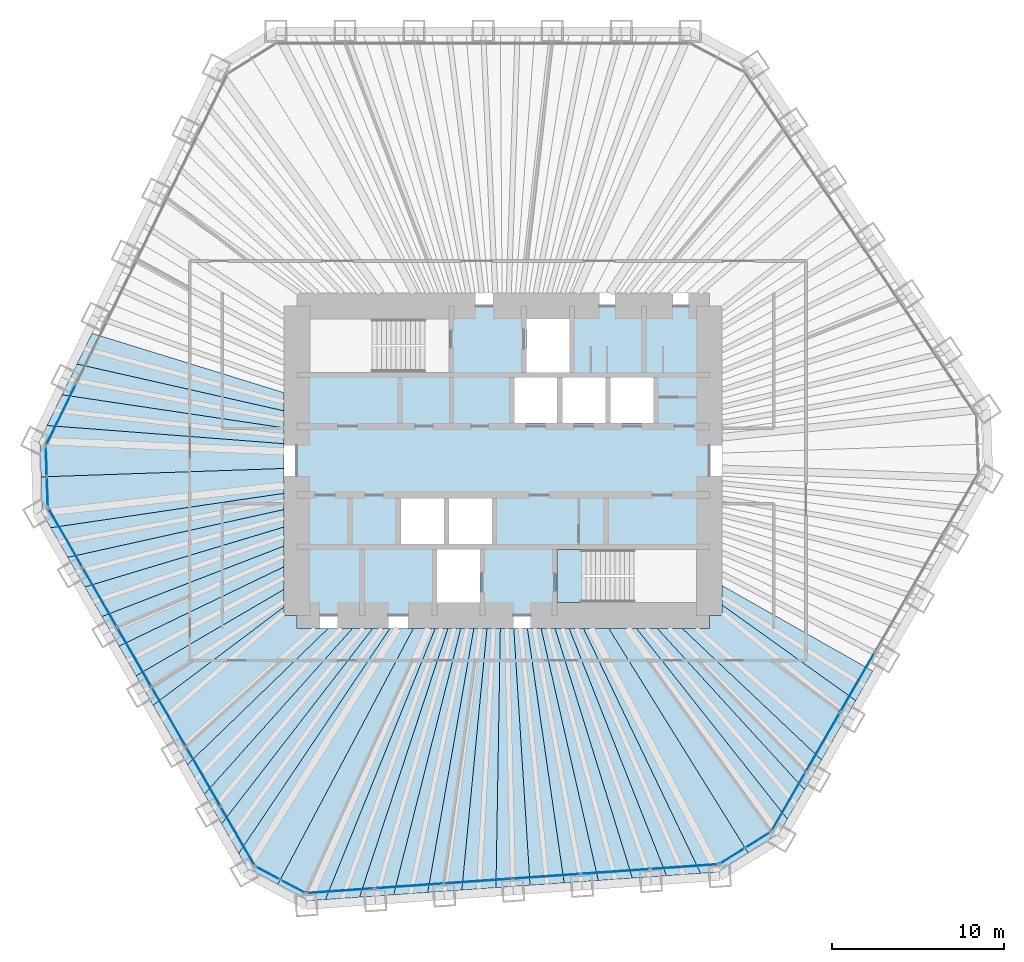
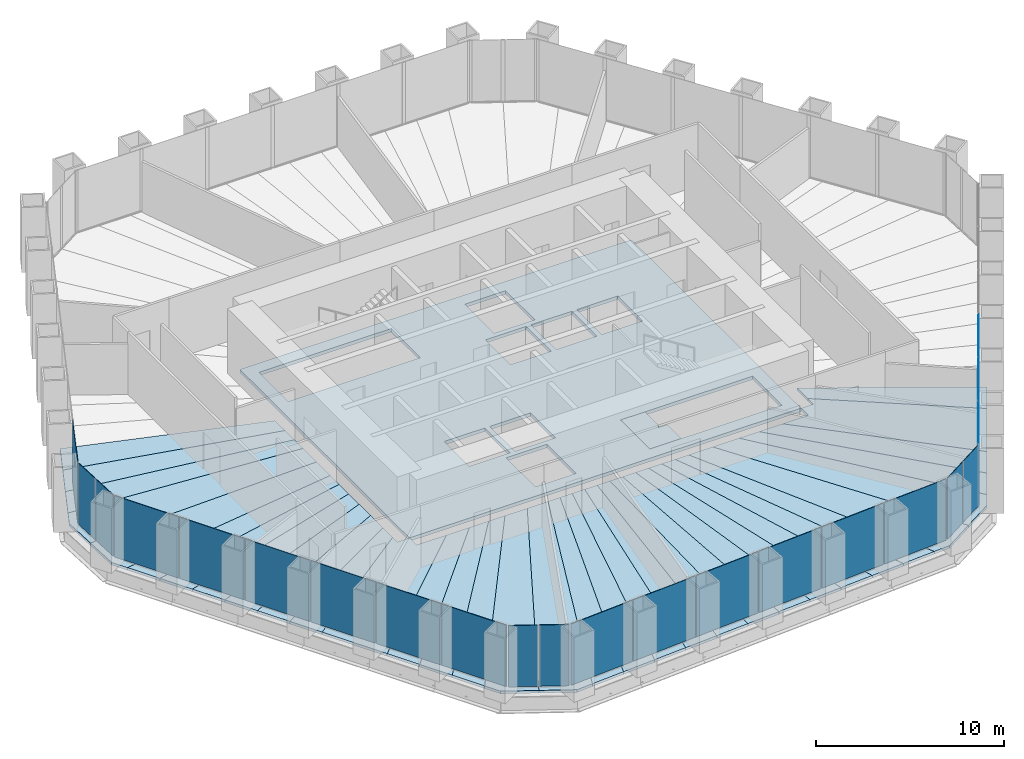
# One storey, part 8 of 13: 36 slabs, 22 plates, 8 elements without a shape of their own.
"""IFC4 building model written with IfcOpenShell, lengths in metres."""

from ifc_helpers import new_model, si_unit, direction, frame, origin, origin_2d, place, context, subcontext, project, spatial, polyline, rectangle, outline, extrude, material, layer, layer_set, type_object, element, aggregate, save


model = new_model("IFC4")

# Units and contexts
model_context = context("Model", 3, precision=1e-05, world=origin(), true_north=direction((0.0, 1.0)))
body_context = subcontext(model_context, "Body", "Model", "MODEL_VIEW")
ifc_project = project(units=[si_unit("LENGTHUNIT", "METRE"), si_unit("AREAUNIT", "SQUARE_METRE"), si_unit("VOLUMEUNIT", "CUBIC_METRE"), si_unit("PLANEANGLEUNIT", "RADIAN"), si_unit("MASSUNIT", "GRAM", prefix="KILO")], contexts=[model_context])

# Site, building, storey
site_placement = place(None, origin())
site = spatial("IfcSite", under=ifc_project, at=site_placement, CompositionType="ELEMENT")
building_placement = place(site_placement, origin())
building = spatial("IfcBuilding", under=site, at=building_placement, Name="Qingtian Harvest Tower", CompositionType="ELEMENT")
storey_placement = place(building_placement, frame((0.0, 0.0, 161.800048828125)))
storey = spatial("IfcBuildingStorey", under=building, at=storey_placement, Name="L34", CompositionType="ELEMENT", Elevation=161.800048828125)

# Slabs
ifc_material_1 = material(Name="Concrete fc' 35 MPa", Category="concrete")
ifc_layer_1 = layer(ifc_material_1, 0.169921875)
ifc_layer_set_1 = layer_set([ifc_layer_1], Name="Composite floor slab FS17 170")
slab_type_1 = type_object("IfcSlabType", Name="Composite floor slab FS17 170", PredefinedType="FLOOR", material=ifc_layer_set_1)
slab_1_placement = place(storey_placement, frame((0.0, 0.0, -0.170166015625)))
element("IfcSlab", 1, at=slab_1_placement, inside=storey, type_object=slab_type_1, Name="Floor slab L34 panel D01", PredefinedType="FLOOR", context=body_context, shape_type="SweptSolid", body=[
    extrude(outline(polyline([(-26.8935546875, -0.939208984375), (-12.75, -0.447998046875), (-12.75, -1.89599609375), (-26.333984375, -3.8984375), (-26.819580078125, -3.056884765625), (-26.8935546875, -0.939208984375)])), origin(), (0.0, 0.0, 1.0), 0.170166015625),
])
slab_2_placement = place(storey_placement, frame((0.0, 0.0, -0.170166015625)))
element("IfcSlab", 2, at=slab_2_placement, inside=storey, type_object=slab_type_1, Name="Floor slab L34 panel D02", PredefinedType="FLOOR", context=body_context, shape_type="SweptSolid", body=[
    extrude(outline(polyline([(-12.75, -2.838134765625), (-25.3388671875, -5.62158203125), (-26.333984375, -3.8984375), (-12.75, -1.89599609375), (-12.75, -2.838134765625)])), origin(), (0.0, 0.0, 1.0), 0.170166015625),
])
slab_3_placement = place(storey_placement, frame((0.0, 0.0, -0.170166015625)))
element("IfcSlab", 3, at=slab_3_placement, inside=storey, type_object=slab_type_1, Name="Floor slab L34 panel D03", PredefinedType="FLOOR", context=body_context, shape_type="SweptSolid", body=[
    extrude(outline(polyline([(-12.75, -3.857666015625), (-24.343994140625, -7.344970703125), (-25.3388671875, -5.62158203125), (-12.75, -2.838134765625), (-12.75, -3.857666015625)])), origin(), (0.0, 0.0, 1.0), 0.170166015625),
])
slab_4_placement = place(storey_placement, frame((0.0, 0.0, -0.170166015625)))
element("IfcSlab", 4, at=slab_4_placement, inside=storey, type_object=slab_type_1, Name="Floor slab L34 panel D04", PredefinedType="FLOOR", context=body_context, shape_type="SweptSolid", body=[
    extrude(outline(polyline([(-12.75, -4.9638671875), (-23.34912109375, -9.068115234375), (-24.343994140625, -7.344970703125), (-12.75, -3.857666015625), (-12.75, -4.9638671875)])), origin(), (0.0, 0.0, 1.0), 0.170166015625),
])
slab_5_placement = place(storey_placement, frame((0.0, 0.0, -0.170166015625)))
element("IfcSlab", 5, at=slab_5_placement, inside=storey, type_object=slab_type_1, Name="Floor slab L34 panel D05", PredefinedType="FLOOR", context=body_context, shape_type="SweptSolid", body=[
    extrude(outline(polyline([(-12.75, -6.1689453125), (-22.354248046875, -10.79150390625), (-23.34912109375, -9.068115234375), (-12.75, -4.9638671875), (-12.75, -6.1689453125)])), origin(), (0.0, 0.0, 1.0), 0.170166015625),
])
slab_6_placement = place(storey_placement, frame((0.0, 0.0, -0.170166015625)))
element("IfcSlab", 6, at=slab_6_placement, inside=storey, type_object=slab_type_1, Name="Floor slab L34 panel D06", PredefinedType="FLOOR", context=body_context, shape_type="SweptSolid", body=[
    extrude(outline(polyline([(-12.75, -7.486328125), (-21.359130859375, -12.5146484375), (-22.354248046875, -10.79150390625), (-12.75, -6.1689453125), (-12.75, -7.486328125)])), origin(), (0.0, 0.0, 1.0), 0.170166015625),
])
slab_7_placement = place(storey_placement, frame((0.0, 0.0, -0.170166015625)))
element("IfcSlab", 7, at=slab_7_placement, inside=storey, type_object=slab_type_1, Name="Floor slab L34 panel D07", PredefinedType="FLOOR", context=body_context, shape_type="SweptSolid", body=[
    extrude(outline(polyline([(-12.75, -8.512451171875), (-20.36865234375, -14.23046875), (-21.359130859375, -12.5146484375), (-12.75, -7.486328125), (-12.75, -8.512451171875)])), origin(), (0.0, 0.0, 1.0), 0.170166015625),
])
slab_8_placement = place(storey_placement, frame((0.0, 0.0, -0.170166015625)))
element("IfcSlab", 8, at=slab_8_placement, inside=storey, type_object=slab_type_1, Name="Floor slab L34 panel D09", PredefinedType="FLOOR", context=body_context, shape_type="SweptSolid", body=[
    extrude(outline(polyline([(-18.375, -17.683837890625), (-20.36865234375, -14.23046875), (-12.75, -8.512451171875), (-12.75, -9.0), (-12.0, -9.0), (-12.0, -9.75), (-10.168212890625, -9.75), (-18.375, -17.683837890625)])), origin(), (0.0, 0.0, 1.0), 0.170166015625),
])
slab_9_placement = place(storey_placement, frame((0.0, 0.0, -0.170166015625)))
element("IfcSlab", 9, at=slab_9_placement, inside=storey, type_object=slab_type_1, Name="Floor slab L34 panel D10", PredefinedType="FLOOR", context=body_context, shape_type="SweptSolid", body=[
    extrude(outline(polyline([(-8.759521484375, -9.75), (-17.3798828125, -19.4072265625), (-18.375, -17.683837890625), (-10.168212890625, -9.75), (-8.759521484375, -9.75)])), origin(), (0.0, 0.0, 1.0), 0.170166015625),
])
slab_10_placement = place(storey_placement, frame((0.0, 0.0, -0.170166015625)))
element("IfcSlab", 10, at=slab_10_placement, inside=storey, type_object=slab_type_1, Name="Floor slab L34 panel D11", PredefinedType="FLOOR", context=body_context, shape_type="SweptSolid", body=[
    extrude(outline(polyline([(-7.58203125, -9.75), (-16.385009765625, -21.13037109375), (-17.3798828125, -19.4072265625), (-8.759521484375, -9.75), (-7.58203125, -9.75)])), origin(), (0.0, 0.0, 1.0), 0.170166015625),
])
slab_11_placement = place(storey_placement, frame((0.0, 0.0, -0.170166015625)))
element("IfcSlab", 11, at=slab_11_placement, inside=storey, type_object=slab_type_1, Name="Floor slab L34 panel D12", PredefinedType="FLOOR", context=body_context, shape_type="SweptSolid", body=[
    extrude(outline(polyline([(-6.5830078125, -9.75), (-15.389892578125, -22.853759765625), (-16.385009765625, -21.13037109375), (-7.58203125, -9.75), (-6.5830078125, -9.75)])), origin(), (0.0, 0.0, 1.0), 0.170166015625),
])
slab_12_placement = place(storey_placement, frame((0.0, 0.0, -0.170166015625)))
element("IfcSlab", 12, at=slab_12_placement, inside=storey, type_object=slab_type_1, Name="Floor slab L34 panel D13", PredefinedType="FLOOR", context=body_context, shape_type="SweptSolid", body=[
    extrude(outline(polyline([(-6.5830078125, -9.75), (-5.21875, -9.75), (-13.107421875, -24.650634765625), (-14.904052734375, -23.6953125), (-15.389892578125, -22.853759765625), (-6.5830078125, -9.75)])), origin(), (0.0, 0.0, 1.0), 0.170166015625),
])
slab_13_placement = place(storey_placement, frame((0.0, 0.0, -0.170166015625)))
element("IfcSlab", 13, at=slab_13_placement, inside=storey, type_object=slab_type_1, Name="Floor slab L34 panel D14", PredefinedType="FLOOR", context=body_context, shape_type="SweptSolid", body=[
    extrude(outline(polyline([(-5.21875, -9.75), (-3.947021484375, -9.75), (-10.3408203125, -25.53857421875), (-11.31005859375, -25.606201171875), (-13.107421875, -24.650634765625), (-5.21875, -9.75)])), origin(), (0.0, 0.0, 1.0), 0.170166015625),
])
slab_14_placement = place(storey_placement, frame((0.0, 0.0, -0.170166015625)))
element("IfcSlab", 14, at=slab_14_placement, inside=storey, type_object=slab_type_1, Name="Floor slab L34 panel D15", PredefinedType="FLOOR", context=body_context, shape_type="SweptSolid", body=[
    extrude(outline(polyline([(-3.20654296875, -9.75), (-8.35595703125, -25.399658203125), (-10.3408203125, -25.53857421875), (-3.947021484375, -9.75), (-3.20654296875, -9.75)])), origin(), (0.0, 0.0, 1.0), 0.170166015625),
])
slab_15_placement = place(storey_placement, frame((0.0, 0.0, -0.170166015625)))
element("IfcSlab", 15, at=slab_15_placement, inside=storey, type_object=slab_type_1, Name="Floor slab L34 panel D16", PredefinedType="FLOOR", context=body_context, shape_type="SweptSolid", body=[
    extrude(outline(polyline([(-2.4580078125, -9.75), (-6.370849609375, -25.260986328125), (-8.35595703125, -25.399658203125), (-3.20654296875, -9.75), (-2.4580078125, -9.75)])), origin(), (0.0, 0.0, 1.0), 0.170166015625),
])
slab_16_placement = place(storey_placement, frame((0.0, 0.0, -0.170166015625)))
element("IfcSlab", 16, at=slab_16_placement, inside=storey, type_object=slab_type_1, Name="Floor slab L34 panel D17", PredefinedType="FLOOR", context=body_context, shape_type="SweptSolid", body=[
    extrude(outline(polyline([(-1.701171875, -9.75), (-4.385986328125, -25.1220703125), (-6.370849609375, -25.260986328125), (-2.4580078125, -9.75), (-1.701171875, -9.75)])), origin(), (0.0, 0.0, 1.0), 0.170166015625),
])
slab_17_placement = place(storey_placement, frame((0.0, 0.0, -0.170166015625)))
element("IfcSlab", 17, at=slab_17_placement, inside=storey, type_object=slab_type_1, Name="Floor slab L34 panel D18", PredefinedType="FLOOR", context=body_context, shape_type="SweptSolid", body=[
    extrude(outline(polyline([(-0.93603515625, -9.75), (-2.40087890625, -24.9833984375), (-4.385986328125, -25.1220703125), (-1.701171875, -9.75), (-0.93603515625, -9.75)])), origin(), (0.0, 0.0, 1.0), 0.170166015625),
])
slab_18_placement = place(storey_placement, frame((0.0, 0.0, -0.170166015625)))
element("IfcSlab", 18, at=slab_18_placement, inside=storey, type_object=slab_type_1, Name="Floor slab L34 panel D19", PredefinedType="FLOOR", context=body_context, shape_type="SweptSolid", body=[
    extrude(outline(polyline([(-0.162109375, -9.75), (-0.416015625, -24.844482421875), (-2.40087890625, -24.9833984375), (-0.93603515625, -9.75), (-0.162109375, -9.75)])), origin(), (0.0, 0.0, 1.0), 0.170166015625),
])
slab_19_placement = place(storey_placement, frame((0.0, 0.0, -0.170166015625)))
element("IfcSlab", 19, at=slab_19_placement, inside=storey, type_object=slab_type_1, Name="Floor slab L34 panel D20", PredefinedType="FLOOR", context=body_context, shape_type="SweptSolid", body=[
    extrude(outline(polyline([(0.620361328125, -9.75), (1.569091796875, -24.705810546875), (-0.416015625, -24.844482421875), (-0.162109375, -9.75), (0.620361328125, -9.75)])), origin(), (0.0, 0.0, 1.0), 0.170166015625),
])
slab_20_placement = place(storey_placement, frame((0.0, 0.0, -0.170166015625)))
element("IfcSlab", 20, at=slab_20_placement, inside=storey, type_object=slab_type_1, Name="Floor slab L34 panel D21", PredefinedType="FLOOR", context=body_context, shape_type="SweptSolid", body=[
    extrude(outline(polyline([(1.41162109375, -9.75), (3.553955078125, -24.56689453125), (1.569091796875, -24.705810546875), (0.620361328125, -9.75), (1.41162109375, -9.75)])), origin(), (0.0, 0.0, 1.0), 0.170166015625),
])
slab_21_placement = place(storey_placement, frame((0.0, 0.0, -0.170166015625)))
element("IfcSlab", 21, at=slab_21_placement, inside=storey, type_object=slab_type_1, Name="Floor slab L34 panel D22", PredefinedType="FLOOR", context=body_context, shape_type="SweptSolid", body=[
    extrude(outline(polyline([(2.2119140625, -9.75), (5.5390625, -24.42822265625), (3.553955078125, -24.56689453125), (1.41162109375, -9.75), (2.2119140625, -9.75)])), origin(), (0.0, 0.0, 1.0), 0.170166015625),
])
slab_22_placement = place(storey_placement, frame((0.0, 0.0, -0.170166015625)))
element("IfcSlab", 22, at=slab_22_placement, inside=storey, type_object=slab_type_1, Name="Floor slab L34 panel D23", PredefinedType="FLOOR", context=body_context, shape_type="SweptSolid", body=[
    extrude(outline(polyline([(3.021484375, -9.75), (7.524169921875, -24.289306640625), (5.5390625, -24.42822265625), (2.2119140625, -9.75), (3.021484375, -9.75)])), origin(), (0.0, 0.0, 1.0), 0.170166015625),
])
slab_23_placement = place(storey_placement, frame((0.0, 0.0, -0.170166015625)))
element("IfcSlab", 23, at=slab_23_placement, inside=storey, type_object=slab_type_1, Name="Floor slab L34 panel D24", PredefinedType="FLOOR", context=body_context, shape_type="SweptSolid", body=[
    extrude(outline(polyline([(3.840087890625, -9.75), (9.509033203125, -24.150390625), (7.524169921875, -24.289306640625), (3.021484375, -9.75), (3.840087890625, -9.75)])), origin(), (0.0, 0.0, 1.0), 0.170166015625),
])
slab_24_placement = place(storey_placement, frame((0.0, 0.0, -0.170166015625)))
element("IfcSlab", 24, at=slab_24_placement, inside=storey, type_object=slab_type_1, Name="Floor slab L34 panel D25", PredefinedType="FLOOR", context=body_context, shape_type="SweptSolid", body=[
    extrude(outline(polyline([(4.66845703125, -9.75), (11.494140625, -24.01171875), (9.509033203125, -24.150390625), (3.840087890625, -9.75), (4.66845703125, -9.75)])), origin(), (0.0, 0.0, 1.0), 0.170166015625),
])
slab_25_placement = place(storey_placement, frame((0.0, 0.0, -0.170166015625)))
element("IfcSlab", 25, at=slab_25_placement, inside=storey, type_object=slab_type_1, Name="Floor slab L34 panel D26", PredefinedType="FLOOR", context=body_context, shape_type="SweptSolid", body=[
    extrude(outline(polyline([(4.66845703125, -9.75), (6.14404296875, -9.75), (14.2607421875, -22.820556640625), (12.463134765625, -23.94384765625), (11.494140625, -24.01171875), (4.66845703125, -9.75)])), origin(), (0.0, 0.0, 1.0), 0.170166015625),
])
slab_26_placement = place(storey_placement, frame((0.0, 0.0, -0.170166015625)))
element("IfcSlab", 26, at=slab_26_placement, inside=storey, type_object=slab_type_1, Name="Floor slab L34 panel D27", PredefinedType="FLOOR", context=body_context, shape_type="SweptSolid", body=[
    extrude(outline(polyline([(6.14404296875, -9.75), (7.756103515625, -9.75), (16.543212890625, -20.8564453125), (16.05712890625, -21.697998046875), (14.2607421875, -22.820556640625), (6.14404296875, -9.75)])), origin(), (0.0, 0.0, 1.0), 0.170166015625),
])
slab_27_placement = place(storey_placement, frame((0.0, 0.0, -0.170166015625)))
element("IfcSlab", 27, at=slab_27_placement, inside=storey, type_object=slab_type_1, Name="Floor slab L34 panel D28", PredefinedType="FLOOR", context=body_context, shape_type="SweptSolid", body=[
    extrude(outline(polyline([(8.966552734375, -9.75), (17.5380859375, -19.133056640625), (16.543212890625, -20.8564453125), (7.756103515625, -9.75), (8.966552734375, -9.75)])), origin(), (0.0, 0.0, 1.0), 0.170166015625),
])
slab_28_placement = place(storey_placement, frame((0.0, 0.0, -0.170166015625)))
element("IfcSlab", 28, at=slab_28_placement, inside=storey, type_object=slab_type_1, Name="Floor slab L34 panel D29", PredefinedType="FLOOR", context=body_context, shape_type="SweptSolid", body=[
    extrude(outline(polyline([(10.41796875, -9.75), (18.532958984375, -17.40966796875), (17.5380859375, -19.133056640625), (8.966552734375, -9.75), (10.41796875, -9.75)])), origin(), (0.0, 0.0, 1.0), 0.170166015625),
])
slab_29_placement = place(storey_placement, frame((0.0, 0.0, -0.170166015625)))
element("IfcSlab", 29, at=slab_29_placement, inside=storey, type_object=slab_type_1, Name="Floor slab L34 panel D31", PredefinedType="FLOOR", context=body_context, shape_type="SweptSolid", body=[
    extrude(outline(polyline([(12.75, -8.398681640625), (20.525390625, -13.958740234375), (18.532958984375, -17.40966796875), (10.41796875, -9.75), (12.0, -9.75), (12.0, -9.0), (12.75, -9.0), (12.75, -8.398681640625)])), origin(), (0.0, 0.0, 1.0), 0.170166015625),
])
slab_30_placement = place(storey_placement, frame((0.0, 0.0, -0.170166015625)))
element("IfcSlab", 30, at=slab_30_placement, inside=storey, type_object=slab_type_1, Name="Floor slab L34 panel D32", PredefinedType="FLOOR", context=body_context, shape_type="SweptSolid", body=[
    extrude(outline(polyline([(12.75, -7.268798828125), (21.517333984375, -12.24072265625), (20.525390625, -13.958740234375), (12.75, -8.398681640625), (12.75, -7.268798828125)])), origin(), (0.0, 0.0, 1.0), 0.170166015625),
])
slab_31_placement = place(storey_placement, frame((0.0, 0.0, -0.170166015625)))
element("IfcSlab", 31, at=slab_31_placement, inside=storey, type_object=slab_type_1, Name="Floor slab L34 panel D75", PredefinedType="FLOOR", context=body_context, shape_type="SweptSolid", body=[
    extrude(outline(polyline([(-12.75, 2.903076171875), (-24.797119140625, 5.62890625), (-23.9248046875, 7.417236328125), (-12.75, 3.962646484375), (-12.75, 2.903076171875)])), origin(), (0.0, 0.0, 1.0), 0.170166015625),
])
slab_32_placement = place(storey_placement, frame((0.0, 0.0, -0.170166015625)))
element("IfcSlab", 32, at=slab_32_placement, inside=storey, type_object=slab_type_1, Name="Floor slab L34 panel D76", PredefinedType="FLOOR", context=body_context, shape_type="SweptSolid", body=[
    extrude(outline(polyline([(-12.75, 1.91552734375), (-25.66943359375, 3.84033203125), (-24.797119140625, 5.62890625), (-12.75, 2.903076171875), (-12.75, 1.91552734375)])), origin(), (0.0, 0.0, 1.0), 0.170166015625),
])
slab_33_placement = place(storey_placement, frame((0.0, 0.0, -0.170166015625)))
element("IfcSlab", 33, at=slab_33_placement, inside=storey, type_object=slab_type_1, Name="Floor slab L34 panel D77", PredefinedType="FLOOR", context=body_context, shape_type="SweptSolid", body=[
    extrude(outline(polyline([(-12.75, 0.992919921875), (-26.541748046875, 2.0517578125), (-25.66943359375, 3.84033203125), (-12.75, 1.91552734375), (-12.75, 0.992919921875)])), origin(), (0.0, 0.0, 1.0), 0.170166015625),
])
slab_34_placement = place(storey_placement, frame((0.0, 0.0, -0.170166015625)))
element("IfcSlab", 34, at=slab_34_placement, inside=storey, type_object=slab_type_1, Name="Floor slab L34 panel D78", PredefinedType="FLOOR", context=body_context, shape_type="SweptSolid", body=[
    extrude(outline(polyline([(-12.75, 0.992919921875), (-12.75, -0.447998046875), (-26.8935546875, -0.939208984375), (-26.967529296875, 1.1787109375), (-26.541748046875, 2.0517578125), (-12.75, 0.992919921875)])), origin(), (0.0, 0.0, 1.0), 0.170166015625),
])
ifc_material_2 = material(Name="Concrete fc' 35 MPa", Category="concrete")
ifc_layer_2 = layer(ifc_material_2, 0.219970703125)
ifc_layer_set_2 = layer_set([ifc_layer_2], Name="Core floor slab CS22 220")
slab_type_2 = type_object("IfcSlabType", Name="Core floor slab CS22 220", PredefinedType="FLOOR", material=ifc_layer_set_2)
slab_35_placement = place(storey_placement, frame((0.0, 0.0, -0.219970703125)))
element("IfcSlab", 35, at=slab_35_placement, inside=storey, type_object=slab_type_2, Name="Core floor slab L34", PredefinedType="FLOOR", context=body_context, shape_type="SweptSolid", body=[
    extrude(outline(polyline([(-12.0, -9.0), (12.0, -9.0), (12.0, 9.0), (-12.0, 9.0), (-12.0, -9.0)]), holes=[polyline([(-11.25, 5.14990234375), (-3.14990234375, 5.14990234375), (-3.14990234375, 8.25), (-11.25, 8.25), (-11.25, 5.14990234375)]), polyline([(3.14990234375, -8.25), (11.25, -8.25), (11.25, -5.14990234375), (3.14990234375, -5.14990234375), (3.14990234375, -8.25)]), polyline([(1.35009765625, 5.14990234375), (3.85009765625, 5.14990234375), (3.85009765625, 8.25), (1.35009765625, 8.25), (1.35009765625, 5.14990234375)]), polyline([(-3.85009765625, -8.25), (-1.35009765625, -8.25), (-1.35009765625, -5.14990234375), (-3.85009765625, -5.14990234375), (-3.85009765625, -8.25)]), polyline([(0.64990234375, 2.199951171875), (3.14990234375, 2.199951171875), (3.14990234375, 4.85009765625), (0.64990234375, 4.85009765625), (0.64990234375, 2.199951171875)]), polyline([(3.449951171875, 2.199951171875), (5.949951171875, 2.199951171875), (5.949951171875, 4.85009765625), (3.449951171875, 4.85009765625), (3.449951171875, 2.199951171875)]), polyline([(6.25, 2.199951171875), (8.75, 2.199951171875), (8.75, 4.85009765625), (6.25, 4.85009765625), (6.25, 2.199951171875)]), polyline([(-5.949951171875, -4.85009765625), (-3.449951171875, -4.85009765625), (-3.449951171875, -2.199951171875), (-5.949951171875, -2.199951171875), (-5.949951171875, -4.85009765625)]), polyline([(-3.14990234375, -4.85009765625), (-0.64990234375, -4.85009765625), (-0.64990234375, -2.199951171875), (-3.14990234375, -2.199951171875), (-3.14990234375, -4.85009765625)])]), origin(), (0.0, 0.0, 1.0), 0.219970703125),
])

# Curtain wall, plates
ifc_material_3 = material(Name="Bronze-anodised aluminium curtain wall", Category="aluminium")
curtain_wall_type = type_object("IfcCurtainWallType", Name="Curtain wall CW4 office", PredefinedType="USERDEFINED", material=ifc_material_3)
curtain_wall_1_placement = place(storey_placement, origin())
curtain_wall_1 = element("IfcCurtainWall", 36, at=curtain_wall_1_placement, inside=storey, type_object=curtain_wall_type, Name="Curtain wall CW4 L34 SE0-5", ObjectType="RECESSED CURTAIN WALL", PredefinedType="USERDEFINED")
ifc_material_4 = material(Name="Bronze-tinted laminated insulating glass", Category="glass")
ifc_layer_3 = layer(ifc_material_4, 0.030029296875)
ifc_layer_set_3 = layer_set([ifc_layer_3], Name="Glazed panel CWP tinted IGU")
plate_type = type_object("IfcPlateType", Name="Glazed panel CWP tinted IGU", PredefinedType="CURTAIN_PANEL", material=ifc_layer_set_3)
plate_1_placement = place(storey_placement, frame((20.621826171875, -12.8818359375, 0.06494140625), z_axis=(0.0, 0.0, 1.0), x_axis=(-0.5, -0.866025403784, 0.0)))
plate_1 = element("IfcPlate", 37, at=plate_1_placement, type_object=plate_type, Name="CW4 panel 4.1", PredefinedType="CURTAIN_PANEL", context=body_context, shape_type="SweptSolid", body=[
    extrude(rectangle(XDim=3.9541015625, YDim=0.030029296875, at=origin_2d()), origin(), (0.0, 0.0, 1.0), 3.965087890625),
])
plate_2_placement = place(storey_placement, frame((18.6123046875, -16.362548828125, 0.06494140625), z_axis=(0.0, 0.0, 1.0), x_axis=(-0.5, -0.866025403784, 0.0)))
plate_2 = element("IfcPlate", 38, at=plate_2_placement, type_object=plate_type, Name="CW4 panel 5.1", PredefinedType="CURTAIN_PANEL", context=body_context, shape_type="SweptSolid", body=[
    extrude(rectangle(XDim=3.9541015625, YDim=0.030029296875, at=origin_2d()), origin(), (0.0, 0.0, 1.0), 3.965087890625),
])
plate_3_placement = place(storey_placement, frame((16.61083984375, -19.8291015625, 0.06494140625), z_axis=(0.0, 0.0, 1.0), x_axis=(-0.5, -0.866025403784, 0.0)))
plate_3 = element("IfcPlate", 39, at=plate_3_placement, type_object=plate_type, Name="CW4 panel 6.1", PredefinedType="CURTAIN_PANEL", context=body_context, shape_type="SweptSolid", body=[
    extrude(rectangle(XDim=3.921630859375, YDim=0.030029296875, at=origin_2d()), origin(), (0.0, 0.0, 1.0), 3.965087890625),
])
aggregate(curtain_wall_1, [plate_1, plate_2, plate_3])

curtain_wall_2_placement = place(storey_placement, origin())
curtain_wall_2 = element("IfcCurtainWall", 40, at=curtain_wall_2_placement, inside=storey, type_object=curtain_wall_type, Name="Curtain wall CW4 L34 SEC", ObjectType="RECESSED CURTAIN WALL", PredefinedType="USERDEFINED")
plate_4_placement = place(storey_placement, frame((14.8251953125, -22.06640625, 0.06494140625), z_axis=(0.0, 0.0, 1.0), x_axis=(-0.848048096156, -0.529919264233, 0.0)))
plate_4 = element("IfcPlate", 41, at=plate_4_placement, type_object=plate_type, Name="CW4 panel 1.1", PredefinedType="CURTAIN_PANEL", context=body_context, shape_type="SweptSolid", body=[
    extrude(rectangle(XDim=1.69287109375, YDim=0.030029296875, at=origin_2d()), origin(), (0.0, 0.0, 1.0), 3.965087890625),
])
plate_5_placement = place(storey_placement, frame((13.334228515625, -22.998046875, 0.06494140625), z_axis=(0.0, 0.0, 1.0), x_axis=(-0.848048096156, -0.529919264233, 0.0)))
plate_5 = element("IfcPlate", 42, at=plate_5_placement, type_object=plate_type, Name="CW4 panel 2.1", PredefinedType="CURTAIN_PANEL", context=body_context, shape_type="SweptSolid", body=[
    extrude(rectangle(XDim=1.69287109375, YDim=0.030029296875, at=origin_2d()), origin(), (0.0, 0.0, 1.0), 3.965087890625),
])
aggregate(curtain_wall_2, [plate_4, plate_5])

curtain_wall_3_placement = place(storey_placement, origin())
curtain_wall_3 = element("IfcCurtainWall", 43, at=curtain_wall_3_placement, inside=storey, type_object=curtain_wall_type, Name="Curtain wall CW4 L34 S0-5", ObjectType="RECESSED CURTAIN WALL", PredefinedType="USERDEFINED")
plate_6_placement = place(storey_placement, frame((10.54052734375, -23.622314453125, 0.06494140625), z_axis=(0.0, 0.0, 1.0), x_axis=(-0.99756405026, -0.069756473744, 0.0)))
plate_6 = element("IfcPlate", 44, at=plate_6_placement, type_object=plate_type, Name="CW4 panel 1.1", PredefinedType="CURTAIN_PANEL", context=body_context, shape_type="SweptSolid", body=[
    extrude(rectangle(XDim=3.921630859375, YDim=0.030029296875, at=origin_2d()), origin(), (0.0, 0.0, 1.0), 3.965087890625),
])
plate_7_placement = place(storey_placement, frame((6.54736328125, -23.901611328125, 0.06494140625), z_axis=(0.0, 0.0, 1.0), x_axis=(-0.99756405026, -0.069756473744, 0.0)))
plate_7 = element("IfcPlate", 45, at=plate_7_placement, type_object=plate_type, Name="CW4 panel 2.1", PredefinedType="CURTAIN_PANEL", context=body_context, shape_type="SweptSolid", body=[
    extrude(rectangle(XDim=3.9541015625, YDim=0.030029296875, at=origin_2d()), origin(), (0.0, 0.0, 1.0), 3.965087890625),
])
plate_8_placement = place(storey_placement, frame((2.5380859375, -24.181884765625, 0.06494140625), z_axis=(0.0, 0.0, 1.0), x_axis=(-0.99756405026, -0.069756473744, 0.0)))
plate_8 = element("IfcPlate", 46, at=plate_8_placement, type_object=plate_type, Name="CW4 panel 3.1", PredefinedType="CURTAIN_PANEL", context=body_context, shape_type="SweptSolid", body=[
    extrude(rectangle(XDim=3.9541015625, YDim=0.030029296875, at=origin_2d()), origin(), (0.0, 0.0, 1.0), 3.965087890625),
])
plate_9_placement = place(storey_placement, frame((-1.47119140625, -24.462158203125, 0.06494140625), z_axis=(0.0, 0.0, 1.0), x_axis=(-0.99756405026, -0.069756473744, 0.0)))
plate_9 = element("IfcPlate", 47, at=plate_9_placement, type_object=plate_type, Name="CW4 panel 4.1", PredefinedType="CURTAIN_PANEL", context=body_context, shape_type="SweptSolid", body=[
    extrude(rectangle(XDim=3.9541015625, YDim=0.030029296875, at=origin_2d()), origin(), (0.0, 0.0, 1.0), 3.965087890625),
])
plate_10_placement = place(storey_placement, frame((-5.48046875, -24.74267578125, 0.06494140625), z_axis=(0.0, 0.0, 1.0), x_axis=(-0.99756405026, -0.069756473744, 0.0)))
plate_10 = element("IfcPlate", 48, at=plate_10_placement, type_object=plate_type, Name="CW4 panel 5.1", PredefinedType="CURTAIN_PANEL", context=body_context, shape_type="SweptSolid", body=[
    extrude(rectangle(XDim=3.9541015625, YDim=0.030029296875, at=origin_2d()), origin(), (0.0, 0.0, 1.0), 3.965087890625),
])
plate_11_placement = place(storey_placement, frame((-9.4736328125, -25.021728515625, 0.06494140625), z_axis=(0.0, 0.0, 1.0), x_axis=(-0.99756405026, -0.069756473744, 0.0)))
plate_11 = element("IfcPlate", 49, at=plate_11_placement, type_object=plate_type, Name="CW4 panel 6.1", PredefinedType="CURTAIN_PANEL", context=body_context, shape_type="SweptSolid", body=[
    extrude(rectangle(XDim=3.921630859375, YDim=0.030029296875, at=origin_2d()), origin(), (0.0, 0.0, 1.0), 3.965087890625),
])
aggregate(curtain_wall_3, [plate_6, plate_7, plate_8, plate_9, plate_10, plate_11])

curtain_wall_4_placement = place(storey_placement, origin())
curtain_wall_4 = element("IfcCurtainWall", 50, at=curtain_wall_4_placement, inside=storey, type_object=curtain_wall_type, Name="Curtain wall CW4 L34 SC", ObjectType="RECESSED CURTAIN WALL", PredefinedType="USERDEFINED")
plate_12_placement = place(storey_placement, frame((-12.24365234375, -24.764892578125, 0.06494140625), z_axis=(0.0, 0.0, 1.0), x_axis=(-0.882947592859, 0.469471562786, 0.0)))
plate_12 = element("IfcPlate", 51, at=plate_12_placement, type_object=plate_type, Name="CW4 panel 1.1", PredefinedType="CURTAIN_PANEL", context=body_context, shape_type="SweptSolid", body=[
    extrude(rectangle(XDim=1.56689453125, YDim=0.030029296875, at=origin_2d()), origin(), (0.0, 0.0, 1.0), 3.965087890625),
])
plate_13_placement = place(storey_placement, frame((-13.684326171875, -23.998779296875, 0.06494140625), z_axis=(0.0, 0.0, 1.0), x_axis=(-0.882947592859, 0.469471562786, 0.0)))
plate_13 = element("IfcPlate", 52, at=plate_13_placement, type_object=plate_type, Name="CW4 panel 2.1", PredefinedType="CURTAIN_PANEL", context=body_context, shape_type="SweptSolid", body=[
    extrude(rectangle(XDim=1.56689453125, YDim=0.030029296875, at=origin_2d()), origin(), (0.0, 0.0, 1.0), 3.965087890625),
])
aggregate(curtain_wall_4, [plate_12, plate_13])

curtain_wall_5_placement = place(storey_placement, origin())
curtain_wall_5 = element("IfcCurtainWall", 53, at=curtain_wall_5_placement, inside=storey, type_object=curtain_wall_type, Name="Curtain wall CW4 L34 SW0-5", ObjectType="RECESSED CURTAIN WALL", PredefinedType="USERDEFINED")
plate_14_placement = place(storey_placement, frame((-15.446533203125, -21.845947265625, 0.06494140625), z_axis=(0.0, 0.0, 1.0), x_axis=(-0.5, 0.866025403784, 0.0)))
plate_14 = element("IfcPlate", 54, at=plate_14_placement, type_object=plate_type, Name="CW4 panel 1.1", PredefinedType="CURTAIN_PANEL", context=body_context, shape_type="SweptSolid", body=[
    extrude(rectangle(XDim=3.921630859375, YDim=0.030029296875, at=origin_2d()), origin(), (0.0, 0.0, 1.0), 3.965087890625),
])
plate_15_placement = place(storey_placement, frame((-17.44775390625, -18.37939453125, 0.06494140625), z_axis=(0.0, 0.0, 1.0), x_axis=(-0.5, 0.866025403784, 0.0)))
plate_15 = element("IfcPlate", 55, at=plate_15_placement, type_object=plate_type, Name="CW4 panel 2.1", PredefinedType="CURTAIN_PANEL", context=body_context, shape_type="SweptSolid", body=[
    extrude(rectangle(XDim=3.9541015625, YDim=0.030029296875, at=origin_2d()), origin(), (0.0, 0.0, 1.0), 3.965087890625),
])
plate_16_placement = place(storey_placement, frame((-19.45751953125, -14.898681640625, 0.06494140625), z_axis=(0.0, 0.0, 1.0), x_axis=(-0.5, 0.866025403784, 0.0)))
plate_16 = element("IfcPlate", 56, at=plate_16_placement, type_object=plate_type, Name="CW4 panel 3.1", PredefinedType="CURTAIN_PANEL", context=body_context, shape_type="SweptSolid", body=[
    extrude(rectangle(XDim=3.9541015625, YDim=0.030029296875, at=origin_2d()), origin(), (0.0, 0.0, 1.0), 3.965087890625),
])
plate_17_placement = place(storey_placement, frame((-21.467041015625, -11.418212890625, 0.06494140625), z_axis=(0.0, 0.0, 1.0), x_axis=(-0.5, 0.866025403784, 0.0)))
plate_17 = element("IfcPlate", 57, at=plate_17_placement, type_object=plate_type, Name="CW4 panel 4.1", PredefinedType="CURTAIN_PANEL", context=body_context, shape_type="SweptSolid", body=[
    extrude(rectangle(XDim=3.9541015625, YDim=0.030029296875, at=origin_2d()), origin(), (0.0, 0.0, 1.0), 3.965087890625),
])
plate_18_placement = place(storey_placement, frame((-23.4765625, -7.9375, 0.06494140625), z_axis=(0.0, 0.0, 1.0), x_axis=(-0.5, 0.866025403784, 0.0)))
plate_18 = element("IfcPlate", 58, at=plate_18_placement, type_object=plate_type, Name="CW4 panel 5.1", PredefinedType="CURTAIN_PANEL", context=body_context, shape_type="SweptSolid", body=[
    extrude(rectangle(XDim=3.9541015625, YDim=0.030029296875, at=origin_2d()), origin(), (0.0, 0.0, 1.0), 3.965087890625),
])
plate_19_placement = place(storey_placement, frame((-25.477783203125, -4.470947265625, 0.06494140625), z_axis=(0.0, 0.0, 1.0), x_axis=(-0.5, 0.866025403784, 0.0)))
plate_19 = element("IfcPlate", 59, at=plate_19_placement, type_object=plate_type, Name="CW4 panel 6.1", PredefinedType="CURTAIN_PANEL", context=body_context, shape_type="SweptSolid", body=[
    extrude(rectangle(XDim=3.921630859375, YDim=0.030029296875, at=origin_2d()), origin(), (0.0, 0.0, 1.0), 3.965087890625),
])
aggregate(curtain_wall_5, [plate_14, plate_15, plate_16, plate_17, plate_18, plate_19])

curtain_wall_6_placement = place(storey_placement, origin())
curtain_wall_6 = element("IfcCurtainWall", 60, at=curtain_wall_6_placement, inside=storey, type_object=curtain_wall_type, Name="Curtain wall CW4 L34 SWC", ObjectType="RECESSED CURTAIN WALL", PredefinedType="USERDEFINED")
plate_20_placement = place(storey_placement, frame((-26.522705078125, -1.8056640625, 0.06494140625), z_axis=(0.0, 0.0, 1.0), x_axis=(-0.034899496703, 0.999390827019, 0.0)))
plate_20 = element("IfcPlate", 61, at=plate_20_placement, type_object=plate_type, Name="CW4 panel 1.1", PredefinedType="CURTAIN_PANEL", context=body_context, shape_type="SweptSolid", body=[
    extrude(rectangle(XDim=1.69287109375, YDim=0.030029296875, at=origin_2d()), origin(), (0.0, 0.0, 1.0), 3.965087890625),
])
plate_21_placement = place(storey_placement, frame((-26.583984375, -0.048828125, 0.06494140625), z_axis=(0.0, 0.0, 1.0), x_axis=(-0.034899496703, 0.999390827019, 0.0)))
plate_21 = element("IfcPlate", 62, at=plate_21_placement, type_object=plate_type, Name="CW4 panel 2.1", PredefinedType="CURTAIN_PANEL", context=body_context, shape_type="SweptSolid", body=[
    extrude(rectangle(XDim=1.69287109375, YDim=0.030029296875, at=origin_2d()), origin(), (0.0, 0.0, 1.0), 3.965087890625),
])
aggregate(curtain_wall_6, [plate_20, plate_21])

# Curtain wall, plate
curtain_wall_7_placement = place(storey_placement, origin())
curtain_wall_7 = element("IfcCurtainWall", 63, at=curtain_wall_7_placement, inside=storey, type_object=curtain_wall_type, Name="Curtain wall CW4 L34 NW0-5", ObjectType="RECESSED CURTAIN WALL", PredefinedType="USERDEFINED")
plate_22_placement = place(storey_placement, frame((-25.727783203125, 2.682861328125, 0.06494140625), z_axis=(0.0, 0.0, 1.0), x_axis=(0.438371146789, 0.898794046299, 0.0)))
plate_22 = element("IfcPlate", 64, at=plate_22_placement, type_object=plate_type, Name="CW4 panel 1.1", PredefinedType="CURTAIN_PANEL", context=body_context, shape_type="SweptSolid", body=[
    extrude(rectangle(XDim=3.921630859375, YDim=0.030029296875, at=origin_2d()), origin(), (0.0, 0.0, 1.0), 3.965087890625),
])
aggregate(curtain_wall_7, [plate_22])

# Stair, slab
ifc_material_5 = material(Name="Concrete fc' 35 MPa", Category="concrete")
stair_type = type_object("IfcStairType", Name="Special stair ST3 4200", PredefinedType="HALF_TURN_STAIR", material=ifc_material_5)
stair_placement = place(storey_placement, origin())
stair = element("IfcStair", 65, at=stair_placement, inside=storey, type_object=stair_type, Name="Special stair S2 L34", PredefinedType="HALF_TURN_STAIR")
ifc_material_6 = material(Name="Concrete fc' 35 MPa", Category="concrete")
ifc_layer_4 = layer(ifc_material_6, 0.199951171875)
ifc_layer_set_4 = layer_set([ifc_layer_4], Name="Stair landing SL2 200")
slab_type_3 = type_object("IfcSlabType", Name="Stair landing SL2 200", PredefinedType="LANDING", material=ifc_layer_set_4)
slab_36_placement = place(storey_placement, frame((0.0, 0.0, -0.199951171875)))
slab_36 = element("IfcSlab", 66, at=slab_36_placement, type_object=slab_type_3, Name="S2 landing 1", PredefinedType="LANDING", context=body_context, shape_type="SweptSolid", body=[
    extrude(outline(polyline([(5.0849609375, -8.25), (3.14990234375, -8.25), (3.14990234375, -5.14990234375), (4.64990234375, -5.14990234375), (4.64990234375, -6.64990234375), (4.550048828125, -6.64990234375), (4.550048828125, -6.75), (5.0849609375, -6.75), (5.0849609375, -8.25)])), origin(), (0.0, 0.0, 1.0), 0.199951171875),
])
aggregate(stair, [slab_36])

save(model, "model.ifc")
